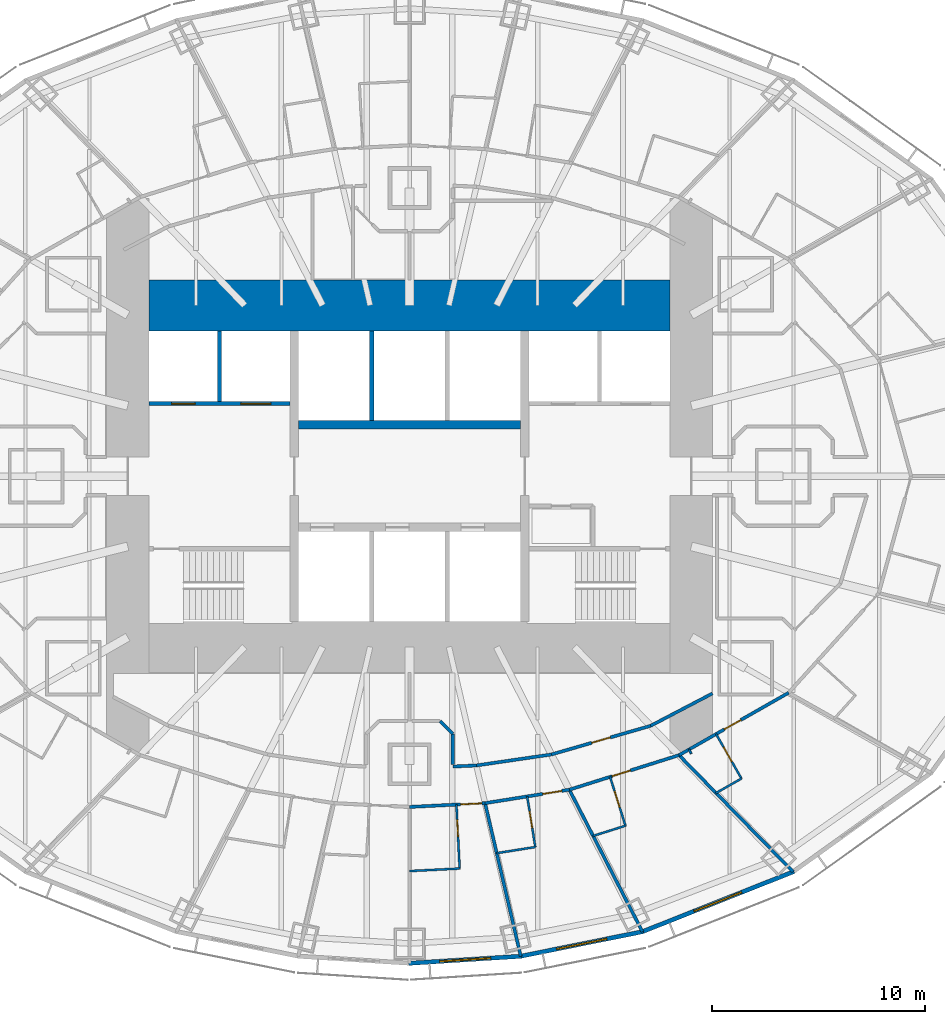
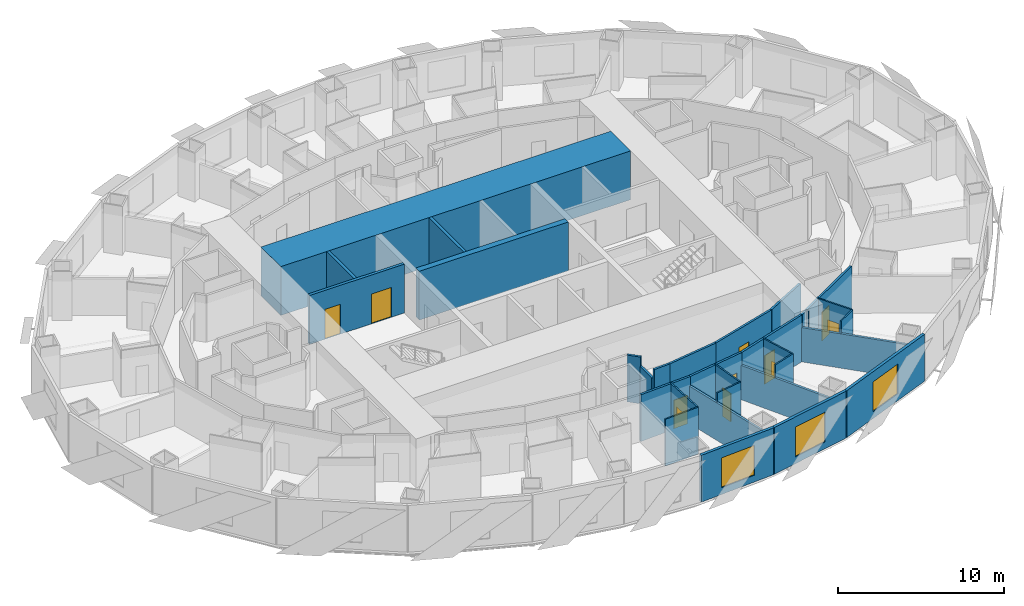
# One storey, part 7 of 17: 30 walls, 11 doors, 3 windows, 14 openings.
"""IFC4 building model written with IfcOpenShell, lengths in metres."""

from ifc_helpers import new_model, si_unit, direction, frame, frame_2d, origin, place, context, subcontext, project, spatial, rectangle, extrude, material, layer, layer_set, type_object, element, fill, save


model = new_model("IFC4")

# Units and contexts
model_context = context("Model", 3, precision=1e-05, world=origin(), true_north=direction((0.0, 1.0)))
body_context = subcontext(model_context, "Body", "Model", "MODEL_VIEW")
ifc_project = project(units=[si_unit("LENGTHUNIT", "METRE"), si_unit("AREAUNIT", "SQUARE_METRE"), si_unit("VOLUMEUNIT", "CUBIC_METRE"), si_unit("PLANEANGLEUNIT", "RADIAN"), si_unit("MASSUNIT", "GRAM", prefix="KILO")], contexts=[model_context])

# Site, building, storey
site_placement = place(None, origin())
site = spatial("IfcSite", under=ifc_project, at=site_placement, CompositionType="ELEMENT")
building_placement = place(site_placement, origin())
building = spatial("IfcBuilding", under=site, at=building_placement, Name="Lantaw Convention Tower", CompositionType="ELEMENT")
storey_placement = place(building_placement, frame((0.0, 0.0, 37.0)))
storey = spatial("IfcBuildingStorey", under=building, at=storey_placement, Name="L06", CompositionType="ELEMENT", Elevation=37.0)

# Walls
ifc_material_1 = material(Name="Gypsum board on steel studs", Category="steel")
ifc_layer_1 = layer(ifc_material_1, 0.14990234375)
ifc_layer_set_1 = layer_set([ifc_layer_1], Name="Back of house wall 150")
wall_type_1 = type_object("IfcWallType", Name="Back of house wall 150", PredefinedType="PARTITIONING", material=ifc_layer_set_1)
wall_1_placement = place(storey_placement, frame((1.424560546875, -11.47509765625, 0.0), z_axis=(0.0, 0.0, 1.0), x_axis=(0.707106781187, -0.707106781187, 0.0)))
element("IfcWall", 1, at=wall_1_placement, inside=storey, type_object=wall_type_1, Name="Back of house wall 150", PredefinedType="PARTITIONING", context=body_context, shape_type="SweptSolid", body=[
    extrude(rectangle(XDim=0.84912109375, YDim=0.14990234375, at=frame_2d((0.424560546875, 0.0))), origin(), (0.0, 0.0, 1.0), 3.449951171875),
])
wall_2_placement = place(storey_placement, frame((2.02490234375, -12.075439453125, 0.0), z_axis=(0.0, 0.0, 1.0), x_axis=(0.0, -1.0, 0.0)))
element("IfcWall", 2, at=wall_2_placement, inside=storey, type_object=wall_type_1, Name="Back of house wall 150", PredefinedType="PARTITIONING", context=body_context, shape_type="SweptSolid", body=[
    extrude(rectangle(XDim=1.42724609375, YDim=0.14990234375, at=frame_2d((0.713623046875, 0.0))), origin(), (0.0, 0.0, 1.0), 2.7490234375),
])

# Wall, opening, door
ifc_material_2 = material(Name="Moisture resistant gypsum board on steel studs", Category="steel")
ifc_layer_2 = layer(ifc_material_2, 0.10009765625)
ifc_layer_set_2 = layer_set([ifc_layer_2], Name="Bathroom wall 100")
wall_type_2 = type_object("IfcWallType", Name="Bathroom wall 100", PredefinedType="PARTITIONING", material=ifc_layer_set_2)
wall_3_placement = place(storey_placement, frame((2.197265625, -15.390380859375, 0.0), z_axis=(0.0, 0.0, 1.0), x_axis=(0.049888907753, -0.998754773147, 0.0)))
wall_3 = element("IfcWall", 3, at=wall_3_placement, inside=storey, type_object=wall_type_2, Name="Bathroom wall 100", PredefinedType="PARTITIONING", context=body_context, shape_type="SweptSolid", body=[
    extrude(rectangle(XDim=2.999755859375, YDim=0.10009765625, at=frame_2d((1.5, 0.0))), origin(), (0.0, 0.0, 1.0), 3.449951171875),
])
opening_1_placement = place(wall_3_placement, frame((0.699951171875, 0.0, 0.0)))
opening_1 = element("IfcOpeningElement", 4, at=opening_1_placement, cuts=wall_3, Name="Opening L06.60", PredefinedType="OPENING", context=body_context, shape_type="SweptSolid", body=[
    extrude(rectangle(XDim=0.800048828125, YDim=2.10009765625, at=frame_2d((0.39990234375, 1.050048828125))), frame((0.0, 0.06005859375, 0.0), z_axis=(0.0, -1.0, 0.0), x_axis=(1.0, 0.0, 0.0)), (0.0, 0.0, 1.0), 0.1201171875),
])
ifc_material_3 = material(Name="Timber", Category="wood")
door_type_1 = type_object("IfcDoorType", Name="Bathroom door 800", OperationType="SINGLE_SWING_LEFT", PredefinedType="DOOR", material=ifc_material_3)
door_1_placement = place(opening_1_placement, origin())
door_1 = element("IfcDoor", 5, at=door_1_placement, inside=storey, type_object=door_type_1, Name="Bathroom door", OperationType="SINGLE_SWING_LEFT", OverallHeight=2.10009765625, OverallWidth=0.800048828125, PredefinedType="DOOR", context=body_context, shape_type="SweptSolid", body=[
    extrude(rectangle(XDim=0.800048828125, YDim=2.10009765625, at=frame_2d((0.39990234375, 1.050048828125))), frame((0.0, 0.02490234375, 0.0), z_axis=(0.0, -1.0, 0.0), x_axis=(1.0, 0.0, 0.0)), (0.0, 0.0, 1.0), 0.050048828125),
])
fill(opening_1, door_1)

# Wall
wall_4_placement = place(storey_placement, frame((2.346923828125, -18.386474609375, 0.0), z_axis=(0.0, 0.0, 1.0), x_axis=(-0.998755704817, -0.049870252607, 0.0)))
element("IfcWall", 6, at=wall_4_placement, inside=storey, type_object=wall_type_2, Name="Bathroom wall 100", PredefinedType="PARTITIONING", context=body_context, shape_type="SweptSolid", body=[
    extrude(rectangle(XDim=2.349853515625, YDim=0.10009765625, at=frame_2d((1.1748046875, 0.0))), origin(), (0.0, 0.0, 1.0), 3.449951171875),
])

# Wall, opening, door
wall_5_placement = place(storey_placement, frame((5.5126953125, -15.0078125, 0.0), z_axis=(0.0, 0.0, 1.0), x_axis=(0.157780217218, -0.987474254376, 0.0)))
wall_5 = element("IfcWall", 7, at=wall_5_placement, inside=storey, type_object=wall_type_2, Name="Bathroom wall 100", PredefinedType="PARTITIONING", context=body_context, shape_type="SweptSolid", body=[
    extrude(rectangle(XDim=2.39990234375, YDim=0.10009765625, at=frame_2d((1.199951171875, 0.0))), origin(), (0.0, 0.0, 1.0), 3.449951171875),
])
opening_2_placement = place(wall_5_placement, frame((0.699951171875, 0.0, 0.0)))
opening_2 = element("IfcOpeningElement", 8, at=opening_2_placement, cuts=wall_5, Name="Opening L06.62", PredefinedType="OPENING", context=body_context, shape_type="SweptSolid", body=[
    extrude(rectangle(XDim=0.800048828125, YDim=2.10009765625, at=frame_2d((0.39990234375, 1.050048828125))), frame((0.0, 0.06005859375, 0.0), z_axis=(0.0, -1.0, 0.0), x_axis=(1.0, 0.0, 0.0)), (0.0, 0.0, 1.0), 0.1201171875),
])
door_2_placement = place(opening_2_placement, origin())
door_2 = element("IfcDoor", 9, at=door_2_placement, inside=storey, type_object=door_type_1, Name="Bathroom door", OperationType="SINGLE_SWING_LEFT", OverallHeight=2.10009765625, OverallWidth=0.800048828125, PredefinedType="DOOR", context=body_context, shape_type="SweptSolid", body=[
    extrude(rectangle(XDim=0.800048828125, YDim=2.10009765625, at=frame_2d((0.39990234375, 1.050048828125))), frame((0.0, 0.02490234375, 0.0), z_axis=(0.0, -1.0, 0.0), x_axis=(1.0, 0.0, 0.0)), (0.0, 0.0, 1.0), 0.050048828125),
])
fill(opening_2, door_2)

# Wall
wall_6_placement = place(storey_placement, frame((5.891357421875, -17.377685546875, 0.0), z_axis=(0.0, 0.0, 1.0), x_axis=(-0.987478784284, -0.157751863976, 0.0)))
element("IfcWall", 10, at=wall_6_placement, inside=storey, type_object=wall_type_2, Name="Bathroom wall 100", PredefinedType="PARTITIONING", context=body_context, shape_type="SweptSolid", body=[
    extrude(rectangle(XDim=1.83544921875, YDim=0.10009765625, at=frame_2d((0.917724609375, 0.0))), origin(), (0.0, 0.0, 1.0), 3.449951171875),
])

# Wall, opening, door
wall_7_placement = place(storey_placement, frame((9.393798828125, -14.09130859375, 0.0), z_axis=(0.0, 0.0, 1.0), x_axis=(0.30049839721, -0.953782319649, 0.0)))
wall_7 = element("IfcWall", 11, at=wall_7_placement, inside=storey, type_object=wall_type_2, Name="Bathroom wall 100", PredefinedType="PARTITIONING", context=body_context, shape_type="SweptSolid", body=[
    extrude(rectangle(XDim=2.39990234375, YDim=0.10009765625, at=frame_2d((1.199951171875, 0.0))), origin(), (0.0, 0.0, 1.0), 3.449951171875),
])
opening_3_placement = place(wall_7_placement, frame((0.699951171875, 0.0, 0.0)))
opening_3 = element("IfcOpeningElement", 12, at=opening_3_placement, cuts=wall_7, Name="Opening L06.64", PredefinedType="OPENING", context=body_context, shape_type="SweptSolid", body=[
    extrude(rectangle(XDim=0.800048828125, YDim=2.10009765625, at=frame_2d((0.39990234375, 1.050048828125))), frame((0.0, 0.06005859375, 0.0), z_axis=(0.0, -1.0, 0.0), x_axis=(1.0, 0.0, 0.0)), (0.0, 0.0, 1.0), 0.1201171875),
])
door_3_placement = place(opening_3_placement, origin())
door_3 = element("IfcDoor", 13, at=door_3_placement, inside=storey, type_object=door_type_1, Name="Bathroom door", OperationType="SINGLE_SWING_LEFT", OverallHeight=2.10009765625, OverallWidth=0.800048828125, PredefinedType="DOOR", context=body_context, shape_type="SweptSolid", body=[
    extrude(rectangle(XDim=0.800048828125, YDim=2.10009765625, at=frame_2d((0.39990234375, 1.050048828125))), frame((0.0, 0.02490234375, 0.0), z_axis=(0.0, -1.0, 0.0), x_axis=(1.0, 0.0, 0.0)), (0.0, 0.0, 1.0), 0.050048828125),
])
fill(opening_3, door_3)

# Wall
wall_8_placement = place(storey_placement, frame((10.114990234375, -16.38037109375, 0.0), z_axis=(0.0, 0.0, 1.0), x_axis=(-0.953764923986, -0.300553605492, 0.0)))
element("IfcWall", 14, at=wall_8_placement, inside=storey, type_object=wall_type_2, Name="Bathroom wall 100", PredefinedType="PARTITIONING", context=body_context, shape_type="SweptSolid", body=[
    extrude(rectangle(XDim=1.597900390625, YDim=0.10009765625, at=frame_2d((0.798828125, 0.0))), origin(), (0.0, 0.0, 1.0), 3.449951171875),
])

# Wall, opening, door
wall_9_placement = place(storey_placement, frame((14.36279296875, -12.083984375, 0.0), z_axis=(0.0, 0.0, 1.0), x_axis=(0.494703113698, -0.869062039959, 0.0)))
wall_9 = element("IfcWall", 15, at=wall_9_placement, inside=storey, type_object=wall_type_2, Name="Bathroom wall 100", PredefinedType="PARTITIONING", context=body_context, shape_type="SweptSolid", body=[
    extrude(rectangle(XDim=2.39990234375, YDim=0.10009765625, at=frame_2d((1.199951171875, 0.0))), origin(), (0.0, 0.0, 1.0), 3.449951171875),
])
opening_4_placement = place(wall_9_placement, frame((0.699951171875, 0.0, 0.0)))
opening_4 = element("IfcOpeningElement", 16, at=opening_4_placement, cuts=wall_9, Name="Opening L06.66", PredefinedType="OPENING", context=body_context, shape_type="SweptSolid", body=[
    extrude(rectangle(XDim=0.800048828125, YDim=2.10009765625, at=frame_2d((0.39990234375, 1.050048828125))), frame((0.0, 0.06005859375, 0.0), z_axis=(0.0, -1.0, 0.0), x_axis=(1.0, 0.0, 0.0)), (0.0, 0.0, 1.0), 0.1201171875),
])
door_4_placement = place(opening_4_placement, origin())
door_4 = element("IfcDoor", 17, at=door_4_placement, inside=storey, type_object=door_type_1, Name="Bathroom door", OperationType="SINGLE_SWING_LEFT", OverallHeight=2.10009765625, OverallWidth=0.800048828125, PredefinedType="DOOR", context=body_context, shape_type="SweptSolid", body=[
    extrude(rectangle(XDim=0.800048828125, YDim=2.10009765625, at=frame_2d((0.39990234375, 1.050048828125))), frame((0.0, 0.02490234375, 0.0), z_axis=(0.0, -1.0, 0.0), x_axis=(1.0, 0.0, 0.0)), (0.0, 0.0, 1.0), 0.050048828125),
])
fill(opening_4, door_4)

# Walls
wall_10_placement = place(storey_placement, frame((15.550048828125, -14.169677734375, 0.0), z_axis=(0.0, 0.0, 1.0), x_axis=(-0.869065896633, -0.494696338485, 0.0)))
element("IfcWall", 18, at=wall_10_placement, inside=storey, type_object=wall_type_2, Name="Bathroom wall 100", PredefinedType="PARTITIONING", context=body_context, shape_type="SweptSolid", body=[
    extrude(rectangle(XDim=1.3857421875, YDim=0.10009765625, at=frame_2d((0.69287109375, 0.0))), origin(), (0.0, 0.0, 1.0), 3.449951171875),
])
ifc_material_4 = material(Name="Concrete C60/75", Category="concrete")
ifc_layer_3 = layer(ifc_material_4, 2.39990234375)
ifc_layer_set_3 = layer_set([ifc_layer_3], Name="Core wall 2400")
wall_type_3 = type_object("IfcWallType", Name="Core wall 2400", PredefinedType="SHEAR", material=ifc_layer_set_3)
wall_11_placement = place(storey_placement, frame((12.199951171875, 8.0, 0.0), z_axis=(0.0, 0.0, 1.0), x_axis=(-1.0, 0.0, 0.0)))
element("IfcWall", 19, at=wall_11_placement, inside=storey, type_object=wall_type_3, Name="Core wall N", PredefinedType="SHEAR", context=body_context, shape_type="SweptSolid", body=[
    extrude(rectangle(XDim=24.39990234375, YDim=2.39990234375, at=frame_2d((12.199951171875, 0.0))), origin(), (0.0, 0.0, 1.0), 3.60009765625),
])
ifc_layer_4 = layer(ifc_material_4, 0.39990234375)
ifc_layer_set_4 = layer_set([ifc_layer_4], Name="Core wall 400")
wall_type_4 = type_object("IfcWallType", Name="Core wall 400", PredefinedType="SHEAR", material=ifc_layer_set_4)
wall_12_placement = place(storey_placement, frame((5.199951171875, 2.39990234375, 0.0), z_axis=(0.0, 0.0, 1.0), x_axis=(-1.0, 0.0, 0.0)))
element("IfcWall", 20, at=wall_12_placement, inside=storey, type_object=wall_type_4, Name="Core wall BN", PredefinedType="SHEAR", context=body_context, shape_type="SweptSolid", body=[
    extrude(rectangle(XDim=10.39990234375, YDim=0.39990234375, at=frame_2d((5.199951171875, 0.0))), origin(), (0.0, 0.0, 1.0), 3.60009765625),
])

# Wall, opening, door
ifc_material_5 = material(Name="Gypsum board on steel studs, fire rated", Category="steel")
ifc_layer_5 = layer(ifc_material_5, 0.14990234375)
ifc_layer_set_5 = layer_set([ifc_layer_5], Name="Corridor wall 150 EI 60")
wall_type_5 = type_object("IfcWallType", Name="Corridor wall 150 EI 60", PredefinedType="PARTITIONING", material=ifc_layer_set_5)
wall_13_placement = place(storey_placement, frame((0.0, -15.5, 0.0), z_axis=(0.0, 0.0, 1.0), x_axis=(0.998754057167, 0.049903239295, 0.0)))
wall_13 = element("IfcWall", 21, at=wall_13_placement, inside=storey, type_object=wall_type_5, Name="Corridor wall 150", PredefinedType="PARTITIONING", context=body_context, shape_type="SweptSolid", body=[
    extrude(rectangle(XDim=3.5419921875, YDim=0.14990234375, at=frame_2d((1.77099609375, 0.0))), origin(), (0.0, 0.0, 1.0), 3.449951171875),
])
opening_5_placement = place(wall_13_placement, frame((2.39208984375, 0.0, 0.0)))
opening_5 = element("IfcOpeningElement", 22, at=opening_5_placement, cuts=wall_13, Name="Opening L06.61", PredefinedType="OPENING", context=body_context, shape_type="SweptSolid", body=[
    extrude(rectangle(XDim=1.0, YDim=2.10009765625, at=frame_2d((0.5, 1.050048828125))), frame((0.0, 0.0849609375, 0.0), z_axis=(0.0, -1.0, 0.0), x_axis=(1.0, 0.0, 0.0)), (0.0, 0.0, 1.0), 0.169921875),
])
ifc_material_6 = material(Name="Steel, fire rated", Category="steel")
door_type_2 = type_object("IfcDoorType", Name="Accessible room entrance door FD30S", OperationType="SINGLE_SWING_LEFT", PredefinedType="DOOR", material=ifc_material_6)
door_5_placement = place(opening_5_placement, origin())
door_5 = element("IfcDoor", 23, at=door_5_placement, inside=storey, type_object=door_type_2, Name="Guest room entrance door", OperationType="SINGLE_SWING_LEFT", OverallHeight=2.10009765625, OverallWidth=1.0, PredefinedType="DOOR", context=body_context, shape_type="SweptSolid", body=[
    extrude(rectangle(XDim=1.0, YDim=2.10009765625, at=frame_2d((0.5, 1.050048828125))), frame((0.0, 0.02490234375, 0.0), z_axis=(0.0, -1.0, 0.0), x_axis=(1.0, 0.0, 0.0)), (0.0, 0.0, 1.0), 0.050048828125),
])
fill(opening_5, door_5)

wall_14_placement = place(storey_placement, frame((3.53759765625, -15.3232421875, 0.0), z_axis=(0.0, 0.0, 1.0), x_axis=(0.987475660646, 0.157771415761, 0.0)))
wall_14 = element("IfcWall", 24, at=wall_14_placement, inside=storey, type_object=wall_type_5, Name="Corridor wall 150", PredefinedType="PARTITIONING", context=body_context, shape_type="SweptSolid", body=[
    extrude(rectangle(XDim=3.99853515625, YDim=0.14990234375, at=frame_2d((1.999267578125, 0.0))), origin(), (0.0, 0.0, 1.0), 3.449951171875),
])
opening_6_placement = place(wall_14_placement, frame((2.736328125, 0.0, 0.0)))
opening_6 = element("IfcOpeningElement", 25, at=opening_6_placement, cuts=wall_14, Name="Opening L06.63", PredefinedType="OPENING", context=body_context, shape_type="SweptSolid", body=[
    extrude(rectangle(XDim=0.89990234375, YDim=2.10009765625, at=frame_2d((0.449951171875, 1.050048828125))), frame((0.0, 0.0849609375, 0.0), z_axis=(0.0, -1.0, 0.0), x_axis=(1.0, 0.0, 0.0)), (0.0, 0.0, 1.0), 0.169921875),
])
door_type_3 = type_object("IfcDoorType", Name="Guest room entrance door FD30S", OperationType="SINGLE_SWING_LEFT", PredefinedType="DOOR", material=ifc_material_6)
door_6_placement = place(opening_6_placement, origin())
door_6 = element("IfcDoor", 26, at=door_6_placement, inside=storey, type_object=door_type_3, Name="Guest room entrance door", OperationType="SINGLE_SWING_LEFT", OverallHeight=2.10009765625, OverallWidth=0.89990234375, PredefinedType="DOOR", context=body_context, shape_type="SweptSolid", body=[
    extrude(rectangle(XDim=0.89990234375, YDim=2.10009765625, at=frame_2d((0.449951171875, 1.050048828125))), frame((0.0, 0.02490234375, 0.0), z_axis=(0.0, -1.0, 0.0), x_axis=(1.0, 0.0, 0.0)), (0.0, 0.0, 1.0), 0.050048828125),
])
fill(opening_6, door_6)

wall_15_placement = place(storey_placement, frame((7.486083984375, -14.6923828125, 0.0), z_axis=(0.0, 0.0, 1.0), x_axis=(0.953774229808, 0.30052407317, 0.0)))
wall_15 = element("IfcWall", 27, at=wall_15_placement, inside=storey, type_object=wall_type_5, Name="Corridor wall 150", PredefinedType="PARTITIONING", context=body_context, shape_type="SweptSolid", body=[
    extrude(rectangle(XDim=5.3876953125, YDim=0.14990234375, at=frame_2d((2.69384765625, 0.0))), origin(), (0.0, 0.0, 1.0), 3.449951171875),
])
opening_7_placement = place(wall_15_placement, frame((2.10009765625, 0.0, 0.0)))
opening_7 = element("IfcOpeningElement", 28, at=opening_7_placement, cuts=wall_15, Name="Opening L06.65", PredefinedType="OPENING", context=body_context, shape_type="SweptSolid", body=[
    extrude(rectangle(XDim=0.89990234375, YDim=2.10009765625, at=frame_2d((0.449951171875, 1.050048828125))), frame((0.0, 0.0849609375, 0.0), z_axis=(0.0, -1.0, 0.0), x_axis=(1.0, 0.0, 0.0)), (0.0, 0.0, 1.0), 0.169921875),
])
door_7_placement = place(opening_7_placement, origin())
door_7 = element("IfcDoor", 29, at=door_7_placement, inside=storey, type_object=door_type_3, Name="Guest room entrance door", OperationType="SINGLE_SWING_LEFT", OverallHeight=2.10009765625, OverallWidth=0.89990234375, PredefinedType="DOOR", context=body_context, shape_type="SweptSolid", body=[
    extrude(rectangle(XDim=0.89990234375, YDim=2.10009765625, at=frame_2d((0.449951171875, 1.050048828125))), frame((0.0, 0.02490234375, 0.0), z_axis=(0.0, -1.0, 0.0), x_axis=(1.0, 0.0, 0.0)), (0.0, 0.0, 1.0), 0.050048828125),
])
fill(opening_7, door_7)

wall_16_placement = place(storey_placement, frame((12.624755859375, -13.0732421875, 0.0), z_axis=(0.0, 0.0, 1.0), x_axis=(0.86907565943, 0.494679187136, 0.0)))
wall_16 = element("IfcWall", 30, at=wall_16_placement, inside=storey, type_object=wall_type_5, Name="Corridor wall 150", PredefinedType="PARTITIONING", context=body_context, shape_type="SweptSolid", body=[
    extrude(rectangle(XDim=5.91064453125, YDim=0.14990234375, at=frame_2d((2.955322265625, 0.0))), origin(), (0.0, 0.0, 1.0), 3.449951171875),
])
opening_8_placement = place(wall_16_placement, frame((2.43701171875, 0.0, 0.0)))
opening_8 = element("IfcOpeningElement", 31, at=opening_8_placement, cuts=wall_16, Name="Opening L06.67", PredefinedType="OPENING", context=body_context, shape_type="SweptSolid", body=[
    extrude(rectangle(XDim=0.89990234375, YDim=2.10009765625, at=frame_2d((0.449951171875, 1.050048828125))), frame((0.0, 0.0849609375, 0.0), z_axis=(0.0, -1.0, 0.0), x_axis=(1.0, 0.0, 0.0)), (0.0, 0.0, 1.0), 0.169921875),
])
door_8_placement = place(opening_8_placement, origin())
door_8 = element("IfcDoor", 32, at=door_8_placement, inside=storey, type_object=door_type_3, Name="Guest room entrance door", OperationType="SINGLE_SWING_LEFT", OverallHeight=2.10009765625, OverallWidth=0.89990234375, PredefinedType="DOOR", context=body_context, shape_type="SweptSolid", body=[
    extrude(rectangle(XDim=0.89990234375, YDim=2.10009765625, at=frame_2d((0.449951171875, 1.050048828125))), frame((0.0, 0.02490234375, 0.0), z_axis=(0.0, -1.0, 0.0), x_axis=(1.0, 0.0, 0.0)), (0.0, 0.0, 1.0), 0.050048828125),
])
fill(opening_8, door_8)

# Wall
wall_17_placement = place(storey_placement, frame((3.1298828125, -13.556640625, 0.0), z_axis=(0.0, 0.0, 1.0), x_axis=(0.989443047021, 0.14492224364, 0.0)))
element("IfcWall", 33, at=wall_17_placement, inside=storey, type_object=wall_type_5, Name="Corridor wall 150", PredefinedType="PARTITIONING", context=body_context, shape_type="SweptSolid", body=[
    extrude(rectangle(XDim=3.552978515625, YDim=0.14990234375, at=frame_2d((1.7763671875, 0.0))), origin(), (0.0, 0.0, 1.0), 3.449951171875),
])

# Wall, opening, door
wall_18_placement = place(storey_placement, frame((6.645263671875, -13.041748046875, 0.0), z_axis=(0.0, 0.0, 1.0), x_axis=(0.960678318068, 0.277663770041, 0.0)))
wall_18 = element("IfcWall", 34, at=wall_18_placement, inside=storey, type_object=wall_type_5, Name="Corridor wall 150", PredefinedType="PARTITIONING", context=body_context, shape_type="SweptSolid", body=[
    extrude(rectangle(XDim=4.84130859375, YDim=0.14990234375, at=frame_2d((2.420654296875, 0.0))), origin(), (0.0, 0.0, 1.0), 3.449951171875),
])
opening_9_placement = place(wall_18_placement, frame((1.970703125, 0.0, 0.0)))
opening_9 = element("IfcOpeningElement", 35, at=opening_9_placement, cuts=wall_18, Name="Opening L06.23", PredefinedType="OPENING", context=body_context, shape_type="SweptSolid", body=[
    extrude(rectangle(XDim=0.89990234375, YDim=2.10009765625, at=frame_2d((0.449951171875, 1.050048828125))), frame((0.0, 0.0849609375, 0.0), z_axis=(0.0, -1.0, 0.0), x_axis=(1.0, 0.0, 0.0)), (0.0, 0.0, 1.0), 0.169921875),
])
door_type_4 = type_object("IfcDoorType", Name="Service door 900 FD30", OperationType="SINGLE_SWING_LEFT", PredefinedType="DOOR", material=ifc_material_6)
door_9_placement = place(opening_9_placement, origin())
door_9 = element("IfcDoor", 36, at=door_9_placement, inside=storey, type_object=door_type_4, Name="Guest ice and vending room door", OperationType="SINGLE_SWING_LEFT", OverallHeight=2.10009765625, OverallWidth=0.89990234375, PredefinedType="DOOR", context=body_context, shape_type="SweptSolid", body=[
    extrude(rectangle(XDim=0.89990234375, YDim=2.10009765625, at=frame_2d((0.449951171875, 1.050048828125))), frame((0.0, 0.02490234375, 0.0), z_axis=(0.0, -1.0, 0.0), x_axis=(1.0, 0.0, 0.0)), (0.0, 0.0, 1.0), 0.050048828125),
])
fill(opening_9, door_9)

# Walls
wall_19_placement = place(storey_placement, frame((2.034912109375, -13.60693359375, 0.0), z_axis=(0.0, 0.0, 1.0), x_axis=(0.998946843147, 0.045882508292, 0.0)))
element("IfcWall", 37, at=wall_19_placement, inside=storey, type_object=wall_type_5, Name="Corridor wall 150", PredefinedType="PARTITIONING", context=body_context, shape_type="SweptSolid", body=[
    extrude(rectangle(XDim=1.09619140625, YDim=0.14990234375, at=frame_2d((0.548095703125, 0.0))), origin(), (0.0, 0.0, 1.0), 3.449951171875),
])
wall_20_placement = place(storey_placement, frame((11.296142578125, -11.697509765625, 0.0), z_axis=(0.0, 0.0, 1.0), x_axis=(0.886283344337, 0.463143426544, 0.0)))
element("IfcWall", 38, at=wall_20_placement, inside=storey, type_object=wall_type_5, Name="Corridor wall 150", PredefinedType="PARTITIONING", context=body_context, shape_type="SweptSolid", body=[
    extrude(rectangle(XDim=3.26513671875, YDim=0.14990234375, at=frame_2d((1.632568359375, 0.0))), origin(), (0.0, 0.0, 1.0), 3.449951171875),
])

# Wall, opening, window
ifc_material_7 = material(Name="Insulated aluminium panel on steel frame", Category="steel")
ifc_layer_6 = layer(ifc_material_7, 0.199951171875)
ifc_layer_set_6 = layer_set([ifc_layer_6], Name="External wall 200")
wall_type_6 = type_object("IfcWallType", Name="External wall 200", PredefinedType="SOLIDWALL", material=ifc_layer_set_6)
wall_21_placement = place(storey_placement, frame((-0.041015625, -22.8271484375, 0.0), z_axis=(0.0, 0.0, 1.0), x_axis=(0.998018582375, 0.062919863585, 0.0)))
wall_21 = element("IfcWall", 39, at=wall_21_placement, inside=storey, type_object=wall_type_6, Name="Facade panel wall", PredefinedType="SOLIDWALL", context=body_context, shape_type="SweptSolid", body=[
    extrude(rectangle(XDim=5.30419921875, YDim=0.199951171875, at=frame_2d((2.652099609375, 0.0))), origin(), (0.0, 0.0, 1.0), 3.449951171875),
])
opening_10_placement = place(wall_21_placement, frame((1.4521484375, 0.0, 0.5)))
opening_10 = element("IfcOpeningElement", 40, at=opening_10_placement, cuts=wall_21, Name="Opening W1", PredefinedType="OPENING", context=body_context, shape_type="SweptSolid", body=[
    extrude(rectangle(XDim=2.39990234375, YDim=2.199951171875, at=frame_2d((1.199951171875, 1.10009765625))), frame((0.0, 0.10986328125, 0.0), z_axis=(0.0, -1.0, 0.0), x_axis=(1.0, 0.0, 0.0)), (0.0, 0.0, 1.0), 0.219970703125),
])
ifc_material_8 = material(Name="Aluminium frame, clear insulating glass", Category="aluminium")
window_type = type_object("IfcWindowType", Name="Guest room window 2400x2200", PartitioningType="SINGLE_PANEL", PredefinedType="WINDOW", material=ifc_material_8)
window_1_placement = place(opening_10_placement, origin())
window_1 = element("IfcWindow", 41, at=window_1_placement, inside=storey, type_object=window_type, Name="Guest room window", OverallHeight=2.199951171875, OverallWidth=2.39990234375, PartitioningType="SINGLE_PANEL", PredefinedType="WINDOW", context=body_context, shape_type="SweptSolid", body=[
    extrude(rectangle(XDim=2.39990234375, YDim=2.199951171875, at=frame_2d((1.199951171875, 1.10009765625))), frame((0.0, 0.030029296875, 0.0), z_axis=(0.0, -1.0, 0.0), x_axis=(1.0, 0.0, 0.0)), (0.0, 0.0, 1.0), 0.06005859375),
])
fill(opening_10, window_1)

wall_22_placement = place(storey_placement, frame((5.169677734375, -22.504150390625, 0.0), z_axis=(0.0, 0.0, 1.0), x_axis=(0.980251657452, 0.197754110105, 0.0)))
wall_22 = element("IfcWall", 42, at=wall_22_placement, inside=storey, type_object=wall_type_6, Name="Facade panel wall", PredefinedType="SOLIDWALL", context=body_context, shape_type="SweptSolid", body=[
    extrude(rectangle(XDim=5.90380859375, YDim=0.199951171875, at=frame_2d((2.951904296875, 0.0))), origin(), (0.0, 0.0, 1.0), 3.449951171875),
])
opening_11_placement = place(wall_22_placement, frame((1.751708984375, 0.0, 0.5)))
opening_11 = element("IfcOpeningElement", 43, at=opening_11_placement, cuts=wall_22, Name="Opening W1", PredefinedType="OPENING", context=body_context, shape_type="SweptSolid", body=[
    extrude(rectangle(XDim=2.39990234375, YDim=2.199951171875, at=frame_2d((1.199951171875, 1.10009765625))), frame((0.0, 0.10986328125, 0.0), z_axis=(0.0, -1.0, 0.0), x_axis=(1.0, 0.0, 0.0)), (0.0, 0.0, 1.0), 0.219970703125),
])
window_2_placement = place(opening_11_placement, origin())
window_2 = element("IfcWindow", 44, at=window_2_placement, inside=storey, type_object=window_type, Name="Guest room window", OverallHeight=2.199951171875, OverallWidth=2.39990234375, PartitioningType="SINGLE_PANEL", PredefinedType="WINDOW", context=body_context, shape_type="SweptSolid", body=[
    extrude(rectangle(XDim=2.39990234375, YDim=2.199951171875, at=frame_2d((1.199951171875, 1.10009765625))), frame((0.0, 0.030029296875, 0.0), z_axis=(0.0, -1.0, 0.0), x_axis=(1.0, 0.0, 0.0)), (0.0, 0.0, 1.0), 0.06005859375),
])
fill(opening_11, window_2)

wall_23_placement = place(storey_placement, frame((10.869384765625, -21.362548828125, 0.0), z_axis=(0.0, 0.0, 1.0), x_axis=(0.929358351251, 0.369178892895, 0.0)))
wall_23 = element("IfcWall", 45, at=wall_23_placement, inside=storey, type_object=wall_type_6, Name="Facade panel wall", PredefinedType="SOLIDWALL", context=body_context, shape_type="SweptSolid", body=[
    extrude(rectangle(XDim=7.6923828125, YDim=0.199951171875, at=frame_2d((3.84619140625, 0.0))), origin(), (0.0, 0.0, 1.0), 3.449951171875),
])
opening_12_placement = place(wall_23_placement, frame((2.64599609375, 0.0, 0.5)))
opening_12 = element("IfcOpeningElement", 46, at=opening_12_placement, cuts=wall_23, Name="Opening W1", PredefinedType="OPENING", context=body_context, shape_type="SweptSolid", body=[
    extrude(rectangle(XDim=2.39990234375, YDim=2.199951171875, at=frame_2d((1.199951171875, 1.10009765625))), frame((0.0, 0.10986328125, 0.0), z_axis=(0.0, -1.0, 0.0), x_axis=(1.0, 0.0, 0.0)), (0.0, 0.0, 1.0), 0.219970703125),
])
window_3_placement = place(opening_12_placement, origin())
window_3 = element("IfcWindow", 47, at=window_3_placement, inside=storey, type_object=window_type, Name="Guest room window", OverallHeight=2.199951171875, OverallWidth=2.39990234375, PartitioningType="SINGLE_PANEL", PredefinedType="WINDOW", context=body_context, shape_type="SweptSolid", body=[
    extrude(rectangle(XDim=2.39990234375, YDim=2.199951171875, at=frame_2d((1.199951171875, 1.10009765625))), frame((0.0, 0.030029296875, 0.0), z_axis=(0.0, -1.0, 0.0), x_axis=(1.0, 0.0, 0.0)), (0.0, 0.0, 1.0), 0.06005859375),
])
fill(opening_12, window_3)

# Walls
ifc_material_9 = material(Name="Gypsum board on steel studs, acoustic", Category="steel")
ifc_layer_7 = layer(ifc_material_9, 0.14990234375)
ifc_layer_set_7 = layer_set([ifc_layer_7], Name="Guest room party wall 150")
wall_type_7 = type_object("IfcWallType", Name="Guest room party wall 150", PredefinedType="PARTITIONING", material=ifc_layer_set_7)
wall_24_placement = place(storey_placement, frame((5.2109375, -22.495849609375, 0.0), z_axis=(0.0, 0.0, 1.0), x_axis=(-0.227195035564, 0.973849277771, 0.0)))
element("IfcWall", 48, at=wall_24_placement, inside=storey, type_object=wall_type_7, Name="Guest room party wall 150", PredefinedType="PARTITIONING", context=body_context, shape_type="SweptSolid", body=[
    extrude(rectangle(XDim=7.365234375, YDim=0.14990234375, at=frame_2d((3.6826171875, 0.0))), origin(), (0.0, 0.0, 1.0), 2.766845703125),
])
wall_25_placement = place(storey_placement, frame((10.911865234375, -21.345703125, 0.0), z_axis=(0.0, 0.0, 1.0), x_axis=(-0.45777845119, 0.889066302154, 0.0)))
element("IfcWall", 49, at=wall_25_placement, inside=storey, type_object=wall_type_7, Name="Guest room party wall 150", PredefinedType="PARTITIONING", context=body_context, shape_type="SweptSolid", body=[
    extrude(rectangle(XDim=7.4833984375, YDim=0.14990234375, at=frame_2d((3.74169921875, 0.0))), origin(), (0.0, 0.0, 1.0), 2.528076171875),
])
wall_26_placement = place(storey_placement, frame((17.970458984375, -18.541748046875, 0.0), z_axis=(0.0, 0.0, 1.0), x_axis=(-0.699032031211, 0.715090357467, 0.0)))
element("IfcWall", 50, at=wall_26_placement, inside=storey, type_object=wall_type_7, Name="Guest room party wall 150", PredefinedType="PARTITIONING", context=body_context, shape_type="SweptSolid", body=[
    extrude(rectangle(XDim=7.647216796875, YDim=0.14990234375, at=frame_2d((3.82373046875, 0.0))), origin(), (0.0, 0.0, 1.0), 2.528076171875),
])
ifc_layer_8 = layer(ifc_material_9, 0.10009765625)
ifc_layer_set_8 = layer_set([ifc_layer_8], Name="Office partition 100")
wall_type_8 = type_object("IfcWallType", Name="Office partition 100", PredefinedType="PARTITIONING", material=ifc_layer_set_8)
wall_27_placement = place(storey_placement, frame((13.199951171875, -13.0, 0.0), z_axis=(0.0, 0.0, 1.0), x_axis=(-0.49435138335, 0.869262164011, 0.0)))
element("IfcWall", 51, at=wall_27_placement, inside=storey, type_object=wall_type_8, Name="Office partition 100", PredefinedType="PARTITIONING", context=body_context, shape_type="SweptSolid", body=[
    extrude(rectangle(XDim=0.220703125, YDim=0.10009765625, at=frame_2d((0.1103515625, 0.0))), origin(), (0.0, 0.0, 1.0), 3.449951171875),
])
ifc_material_10 = material(Name="Concrete blockwork, fire rated", Category="masonry")
ifc_layer_9 = layer(ifc_material_10, 0.199951171875)
ifc_layer_set_9 = layer_set([ifc_layer_9], Name="Shaft wall 200")
wall_type_9 = type_object("IfcWallType", Name="Shaft wall 200", PredefinedType="SOLIDWALL", material=ifc_layer_set_9)
wall_28_placement = place(storey_placement, frame((-1.7666015625, 2.60009765625, 0.0), z_axis=(0.0, 0.0, 1.0), x_axis=(0.0, 1.0, 0.0)))
element("IfcWall", 52, at=wall_28_placement, inside=storey, type_object=wall_type_9, Name="Shaft wall DN1", PredefinedType="SOLIDWALL", context=body_context, shape_type="SweptSolid", body=[
    extrude(rectangle(XDim=4.199951171875, YDim=0.199951171875, at=frame_2d((2.10009765625, 0.0))), origin(), (0.0, 0.0, 1.0), 3.60009765625),
])

# Wall, openings, doors
wall_29_placement = place(storey_placement, frame((-12.199951171875, 3.39990234375, 0.0), z_axis=(0.0, 0.0, 1.0), x_axis=(1.0, 0.0, 0.0)))
wall_29 = element("IfcWall", 53, at=wall_29_placement, inside=storey, type_object=wall_type_9, Name="Shaft wall WN", PredefinedType="SOLIDWALL", context=body_context, shape_type="SweptSolid", body=[
    extrude(rectangle(XDim=6.599853515625, YDim=0.199951171875, at=frame_2d((3.2998046875, 0.0))), origin(), (0.0, 0.0, 1.0), 3.60009765625),
])
opening_13_placement = place(wall_29_placement, frame((1.050048828125, 0.0, 0.0)))
opening_13 = element("IfcOpeningElement", 54, at=opening_13_placement, cuts=wall_29, Name="Opening L06.11", PredefinedType="OPENING", context=body_context, shape_type="SweptSolid", body=[
    extrude(rectangle(XDim=1.10009765625, YDim=2.199951171875, at=frame_2d((0.550048828125, 1.10009765625))), frame((0.0, 0.10986328125, 0.0), z_axis=(0.0, -1.0, 0.0), x_axis=(1.0, 0.0, 0.0)), (0.0, 0.0, 1.0), 0.219970703125),
])
opening_14_placement = place(wall_29_placement, frame((4.300048828125, 0.0, 0.0)))
opening_14 = element("IfcOpeningElement", 55, at=opening_14_placement, cuts=wall_29, Name="Opening L06.12", PredefinedType="OPENING", context=body_context, shape_type="SweptSolid", body=[
    extrude(rectangle(XDim=1.39990234375, YDim=2.199951171875, at=frame_2d((0.699951171875, 1.10009765625))), frame((0.0, 0.10986328125, 0.0), z_axis=(0.0, -1.0, 0.0), x_axis=(1.0, 0.0, 0.0)), (0.0, 0.0, 1.0), 0.219970703125),
])
ifc_material_11 = material(Name="Stainless steel", Category="steel")
door_type_5 = type_object("IfcDoorType", Name="Lift landing door 1100", OperationType="DOUBLE_DOOR_SLIDING", PredefinedType="DOOR", material=ifc_material_11)
door_10_placement = place(opening_13_placement, origin())
door_10 = element("IfcDoor", 56, at=door_10_placement, inside=storey, type_object=door_type_5, Name="Lift landing door FF1", OperationType="DOUBLE_DOOR_SLIDING", OverallHeight=2.199951171875, OverallWidth=1.10009765625, PredefinedType="DOOR", context=body_context, shape_type="SweptSolid", body=[
    extrude(rectangle(XDim=1.10009765625, YDim=2.199951171875, at=frame_2d((0.550048828125, 1.10009765625))), frame((0.0, 0.02490234375, 0.0), z_axis=(0.0, -1.0, 0.0), x_axis=(1.0, 0.0, 0.0)), (0.0, 0.0, 1.0), 0.050048828125),
])
fill(opening_13, door_10)
door_type_6 = type_object("IfcDoorType", Name="Lift landing door 1400", OperationType="DOUBLE_DOOR_SLIDING", PredefinedType="DOOR", material=ifc_material_11)
door_11_placement = place(opening_14_placement, origin())
door_11 = element("IfcDoor", 57, at=door_11_placement, inside=storey, type_object=door_type_6, Name="Lift landing door SV1", OperationType="DOUBLE_DOOR_SLIDING", OverallHeight=2.199951171875, OverallWidth=1.39990234375, PredefinedType="DOOR", context=body_context, shape_type="SweptSolid", body=[
    extrude(rectangle(XDim=1.39990234375, YDim=2.199951171875, at=frame_2d((0.699951171875, 1.10009765625))), frame((0.0, 0.02490234375, 0.0), z_axis=(0.0, -1.0, 0.0), x_axis=(1.0, 0.0, 0.0)), (0.0, 0.0, 1.0), 0.050048828125),
])
fill(opening_14, door_11)

# Wall
wall_30_placement = place(storey_placement, frame((-8.89990234375, 3.5, 0.0), z_axis=(0.0, 0.0, 1.0), x_axis=(0.0, 1.0, 0.0)))
element("IfcWall", 58, at=wall_30_placement, inside=storey, type_object=wall_type_9, Name="Shaft wall WD", PredefinedType="SOLIDWALL", context=body_context, shape_type="SweptSolid", body=[
    extrude(rectangle(XDim=3.300048828125, YDim=0.199951171875, at=frame_2d((1.64990234375, 0.0))), origin(), (0.0, 0.0, 1.0), 3.60009765625),
])

save(model, "model.ifc")
